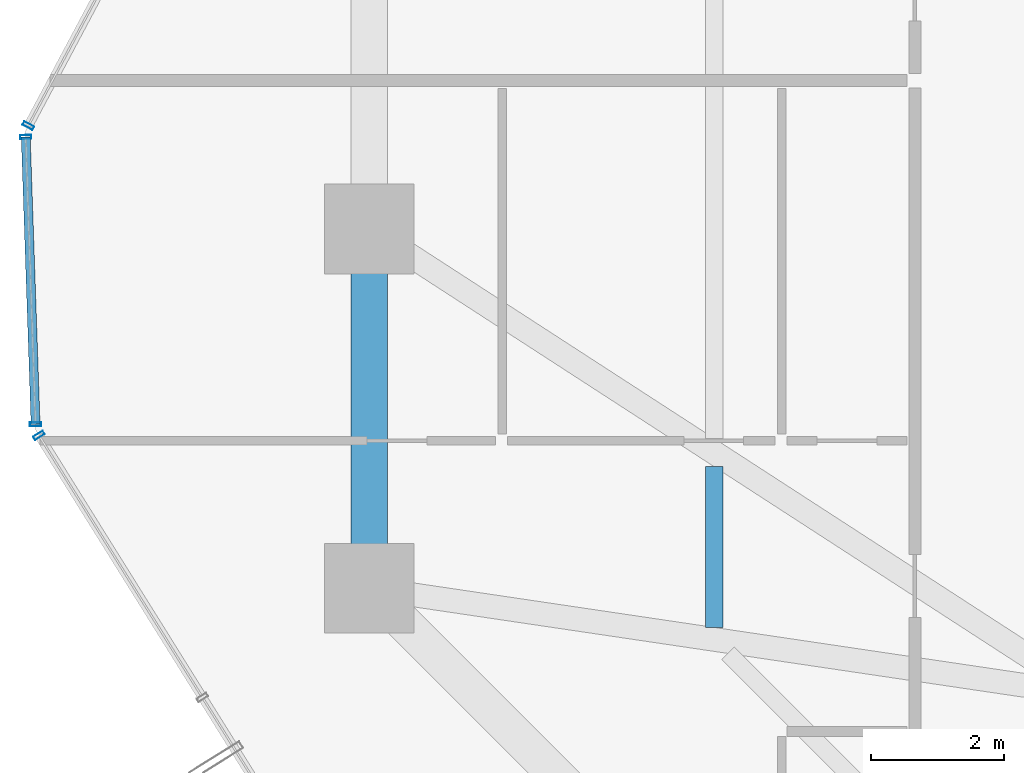
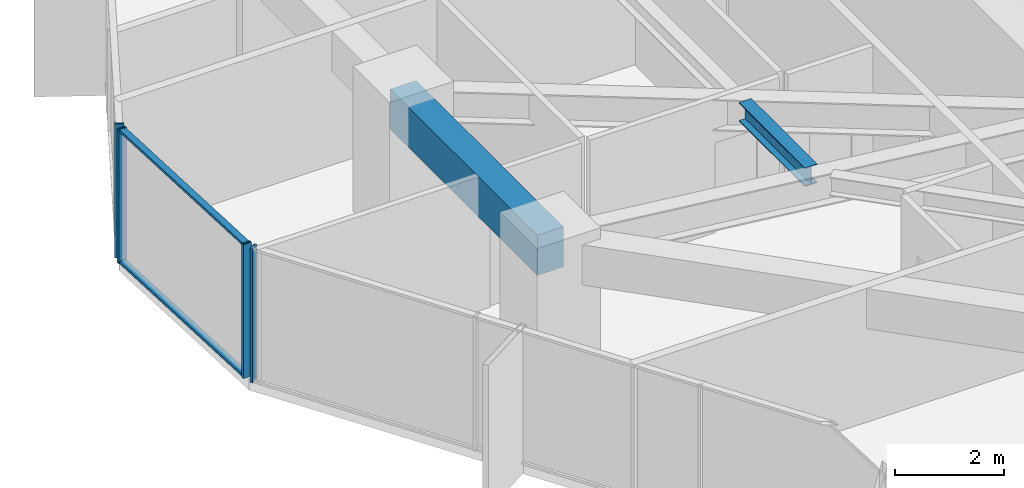
# One storey, part 10 of 39: 6 members, 2 beams, 3 elements without a shape of their own.
"""IFC4 building model written with IfcOpenShell, lengths in metres."""

from ifc_helpers import new_model, si_unit, direction, frame, origin, origin_2d, place, context, subcontext, project, spatial, rectangle, hollow_rectangle, i_section, extrude, source, transform, mapped, material, layer, layer_set, material_profile, profile_set, type_object, element, aggregate, save


model = new_model("IFC4")

# Units and contexts
model_context = context("Model", 3, precision=1e-05, world=origin(), true_north=direction((0.0, 1.0)))
body_context = subcontext(model_context, "Body", "Model", "MODEL_VIEW")
ifc_project = project(units=[si_unit("LENGTHUNIT", "METRE"), si_unit("AREAUNIT", "SQUARE_METRE"), si_unit("VOLUMEUNIT", "CUBIC_METRE"), si_unit("PLANEANGLEUNIT", "RADIAN"), si_unit("MASSUNIT", "GRAM", prefix="KILO")], contexts=[model_context])

# Site, building, storey
site_placement = place(None, origin())
site = spatial("IfcSite", under=ifc_project, at=site_placement, CompositionType="ELEMENT")
building_placement = place(site_placement, origin())
building = spatial("IfcBuilding", under=site, at=building_placement, Name="Veraguas Prism Commons", CompositionType="ELEMENT")
storey_placement = place(building_placement, frame((0.0, 0.0, 30.550048828125)))
storey = spatial("IfcBuildingStorey", under=building, at=storey_placement, Name="L07", CompositionType="ELEMENT", Elevation=30.550048828125)

# Beams
ifc_material_1 = material(Name="Steel ASTM A992 Grade 50", Category="steel")
ifc_material_profile_1 = material_profile(ifc_material_1, i_section(OverallWidth=0.260986328125, OverallDepth=0.419921875, WebThickness=0.01171875, FlangeThickness=0.019287109375, at=origin_2d()), Name="W410X114")
ifc_profile_set_1 = profile_set([ifc_material_profile_1], Name="Steel ASTM A992 Grade 50")
beam_type_1 = type_object("IfcBeamType", Name="Lower Floor Joist W410x114", PredefinedType="JOIST", material=ifc_profile_set_1)
beam_1_placement = place(storey_placement, frame((11.583984375, 20.430419921875, 2.7900390625), z_axis=(0.0, -1.0, 0.0), x_axis=(1.0, 0.0, 0.0)))
element("IfcBeam", 1, at=beam_1_placement, inside=storey, type_object=beam_type_1, Name="Composite Floor Joist L07-JS08", PredefinedType="JOIST", context=body_context, shape_type="SweptSolid", body=[
    extrude(i_section(OverallWidth=0.260986328125, OverallDepth=0.419921875, WebThickness=0.01171875, FlangeThickness=0.019287109375, at=origin_2d()), origin(), (0.0, 0.0, 1.0), 2.42041015625),
])
ifc_material_2 = material(Name="Concrete C50/60", Category="concrete")
ifc_material_profile_2 = material_profile(ifc_material_2, rectangle(XDim=0.550048828125, YDim=0.89990234375, at=origin_2d()), Name="RC550X900")
ifc_profile_set_2 = profile_set([ifc_material_profile_2], Name="Concrete C50/60")
beam_type_2 = type_object("IfcBeamType", Name="Perimeter Spandrel Lower RC 550x900", PredefinedType="SPANDREL", material=ifc_profile_set_2)
beam_2_placement = place(storey_placement, frame((6.39990234375, 24.0, 2.550048828125), z_axis=(0.0, -1.0, 0.0), x_axis=(1.0, 0.0, 0.0)))
element("IfcBeam", 2, at=beam_2_placement, inside=storey, type_object=beam_type_2, Name="Perimeter Spandrel Beam L07-SP08", PredefinedType="SPANDREL", context=body_context, shape_type="SweptSolid", body=[
    extrude(rectangle(XDim=0.550048828125, YDim=0.89990234375, at=origin_2d()), origin(), (0.0, 0.0, 1.0), 5.39990234375),
])

# Curtain wall, members
ifc_material_3 = material(Name="Anodised aluminium EN AW-6063 T6", Category="aluminium")
ifc_layer = layer(ifc_material_3, 0.169921875, Name="Unitised Flush Curtain Wall Zone 1", Category="aluminium")
ifc_layer_set = layer_set([ifc_layer], Name="Anodised aluminium EN AW-6063 T6")
curtain_wall_type = type_object("IfcCurtainWallType", Name="Unitised Flush Curtain Wall Zone 1", PredefinedType="NOTDEFINED", material=ifc_layer_set)
curtain_wall_1_placement = place(storey_placement, origin())
curtain_wall_1 = element("IfcCurtainWall", 3, at=curtain_wall_1_placement, inside=storey, type_object=curtain_wall_type, Name="Chamfer Curtain Wall L07-C4", PredefinedType="NOTDEFINED")
ifc_material_profile_3 = material_profile(ifc_material_3, hollow_rectangle(XDim=0.054931640625, YDim=0.135009765625, WallThickness=0.0029296875, at=origin_2d()), Name="AL55X135X3")
ifc_profile_set_3 = profile_set([ifc_material_profile_3], Name="Anodised aluminium EN AW-6063 T6")
member_type_1 = type_object("IfcMemberType", Name="Curtain Wall Transom Standard AL 55x135x3", PredefinedType="USERDEFINED", material=ifc_profile_set_3)
shared_shape_1 = source(origin(), body_context, "Body", "SweptSolid", [
    extrude(hollow_rectangle(XDim=0.054931640625, YDim=0.135009765625, WallThickness=0.0029296875, at=origin_2d()), origin(), (0.0, 0.0, 1.0), 4.31982421875),
])
member_1_placement = place(storey_placement, frame((1.238525390625, 25.38232421875, 0.02734375), z_axis=(0.034191712957, -0.999415292441, 0.0), x_axis=(0.0, 0.0, 1.0)))
member_1 = element("IfcMember", 4, at=member_1_placement, type_object=member_type_1, Name="CW-Z1 Transom 1", ObjectType="TRANSOM", PredefinedType="USERDEFINED", context=body_context, shape_type="MappedRepresentation", body=[
    mapped(shared_shape_1, transform((0.0, 0.0, 0.0), scale=1.0)),
])
member_2_placement = place(storey_placement, frame((1.238525390625, 25.38232421875, 2.972412109375), z_axis=(0.034191712957, -0.999415292441, 0.0), x_axis=(0.0, 0.0, 1.0)))
member_2 = element("IfcMember", 5, at=member_2_placement, type_object=member_type_1, Name="CW-Z1 Transom 2", ObjectType="TRANSOM", PredefinedType="USERDEFINED", context=body_context, shape_type="MappedRepresentation", body=[
    mapped(shared_shape_1, transform((0.0, 0.0, 0.0), scale=1.0)),
])

# Curtain wall, member
curtain_wall_2_placement = place(storey_placement, origin())
curtain_wall_2 = element("IfcCurtainWall", 6, at=curtain_wall_2_placement, inside=storey, type_object=curtain_wall_type, Name="Tower Facade Curtain Wall L07-F3", PredefinedType="NOTDEFINED")
ifc_material_profile_4 = material_profile(ifc_material_3, hollow_rectangle(XDim=0.06005859375, YDim=0.169921875, WallThickness=0.00390625, at=origin_2d()), Name="AL60X170X4")
ifc_profile_set_4 = profile_set([ifc_material_profile_4], Name="Anodised aluminium EN AW-6063 T6")
member_type_2 = type_object("IfcMemberType", Name="Curtain Wall Mullion Lower AL 60x170x4", PredefinedType="MULLION", material=ifc_profile_set_4)
shared_shape_2 = source(origin(), body_context, "Body", "SweptSolid", [
    extrude(hollow_rectangle(XDim=0.06005859375, YDim=0.169921875, WallThickness=0.00390625, at=origin_2d()), origin(), (0.0, 0.0, 1.0), 3.0),
])
member_3_placement = place(storey_placement, frame((1.277587890625, 25.5517578125, 0.0), z_axis=(0.0, 0.0, 1.0), x_axis=(-0.470089402494, -0.882618804277, 0.0)))
member_3 = element("IfcMember", 7, at=member_3_placement, type_object=member_type_2, Name="CW-Z1 Mullion 5", PredefinedType="MULLION", context=body_context, shape_type="MappedRepresentation", body=[
    mapped(shared_shape_2, transform((0.0, 0.0, 0.0), scale=1.0)),
])
aggregate(curtain_wall_2, [member_3])

curtain_wall_3_placement = place(storey_placement, origin())
curtain_wall_3 = element("IfcCurtainWall", 8, at=curtain_wall_3_placement, inside=storey, type_object=curtain_wall_type, Name="Tower Facade Curtain Wall L07-F4", PredefinedType="NOTDEFINED")
member_4_placement = place(storey_placement, frame((1.43701171875, 20.8984375, 0.0), z_axis=(0.0, 0.0, 1.0), x_axis=(0.529324124343, -0.848419690594, 0.0)))
member_4 = element("IfcMember", 9, at=member_4_placement, type_object=member_type_2, Name="CW-Z1 Mullion 1", PredefinedType="MULLION", context=body_context, shape_type="MappedRepresentation", body=[
    mapped(shared_shape_2, transform((0.0, 0.0, 0.0), scale=1.0)),
])
aggregate(curtain_wall_3, [member_4])

# Member
member_5_placement = place(storey_placement, frame((1.238525390625, 25.38232421875, 0.0), z_axis=(0.0, 0.0, 1.0), x_axis=(0.034179105822, -0.999415723673, 0.0)))
member_5 = element("IfcMember", 10, at=member_5_placement, type_object=member_type_2, Name="CW-Z1 Mullion 1", PredefinedType="MULLION", context=body_context, shape_type="MappedRepresentation", body=[
    mapped(shared_shape_2, transform((0.0, 0.0, 0.0), scale=1.0)),
])

member_6_placement = place(storey_placement, frame((1.38623046875, 21.06494140625, 0.0), z_axis=(0.0, 0.0, 1.0), x_axis=(0.034179105822, -0.999415723673, 0.0)))
member_6 = element("IfcMember", 11, at=member_6_placement, type_object=member_type_2, Name="CW-Z1 Mullion 2", PredefinedType="MULLION", context=body_context, shape_type="MappedRepresentation", body=[
    mapped(shared_shape_2, transform((0.0, 0.0, 0.0), scale=1.0)),
])

aggregate(curtain_wall_1, [member_5, member_6, member_1, member_2])

save(model, "model.ifc")
